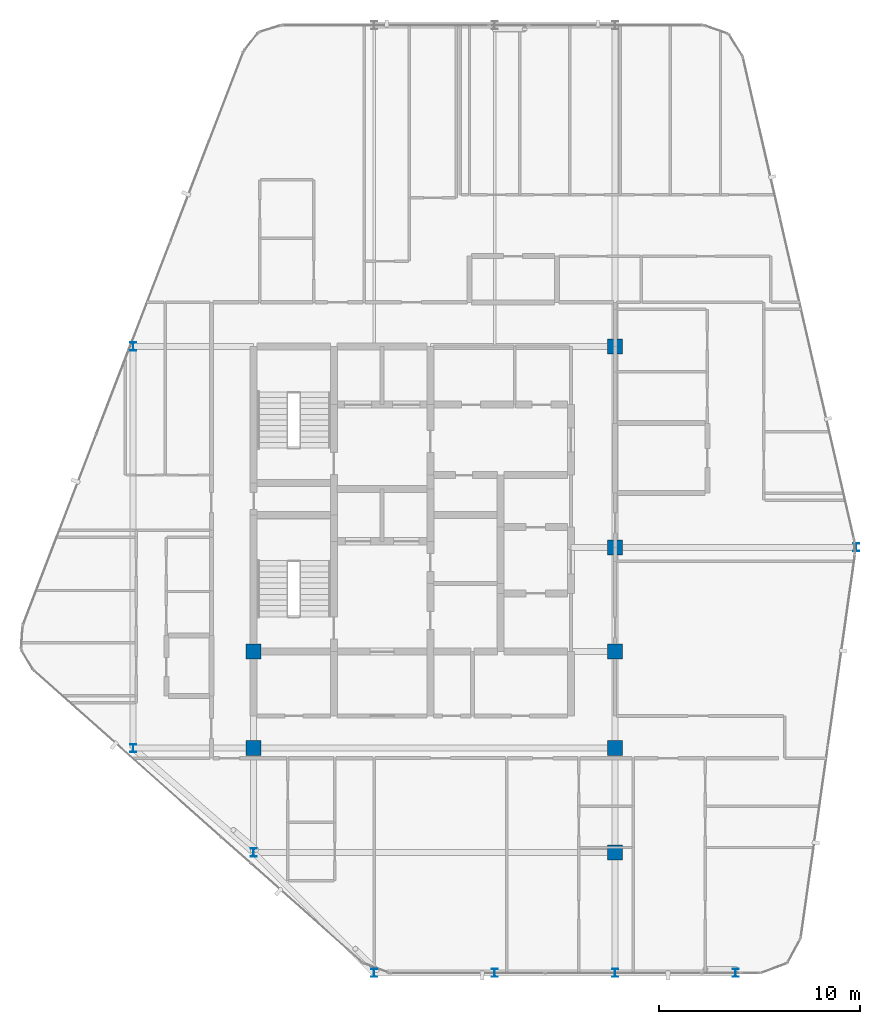
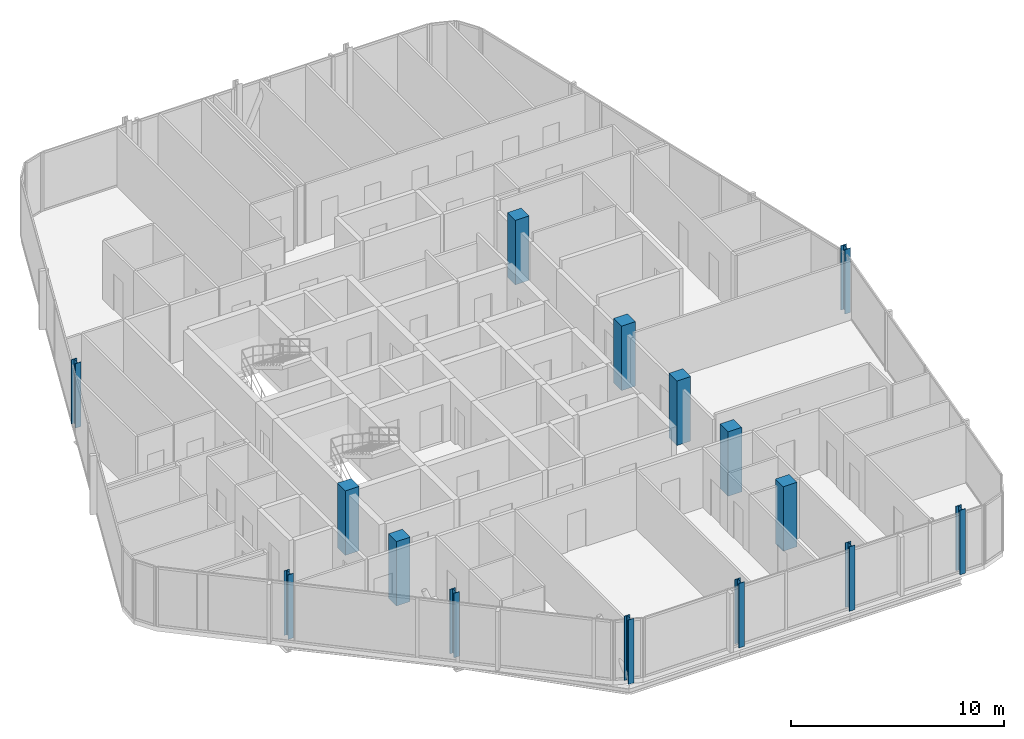
# One storey, part 1 of 30: 15 columns.
"""IFC4 building model written with IfcOpenShell, lengths in metres."""

import ifcopenshell
import ifcopenshell.guid

model = None  # the IFC model being written
_history = None  # IfcOwnerHistory: only IFC2X3 demands one
_inside = {}  # id of a spatial element -> (the spatial element, [elements in it])
_under = {}  # id of a project, library or spatial element -> (it, [spatial elements below it])
_declared = {}  # id of a project -> (the project, [libraries it declares])
_typed = {}  # id of a type object -> (the type object, [elements of that type])
_made_of = {}  # id of a material, layer set ... -> (it, [elements and type objects made of it])


def new_model(schema):
    """Start an empty IFC model of exactly this schema.

    Asked for "IFC4X3", IfcOpenShell would pick the latest addendum, in which some entities
    have other attributes; the version numbers below select the first issue.
    IFC2X3 requires an IfcOwnerHistory on every rooted entity: one is made here for all.
    """
    global model, _history
    if schema == "IFC4X3":
        model = ifcopenshell.file(schema_version=(4, 3, 0, 0))
    else:
        model = ifcopenshell.file(schema=schema)
    _inside.clear()
    _under.clear()
    _declared.clear()
    _typed.clear()
    _made_of.clear()
    _history = None
    if model.schema == "IFC2X3":
        org = make("IfcOrganization", Name="unknown")
        user = make(
            "IfcPersonAndOrganization",
            ThePerson=make("IfcPerson", FamilyName="unknown"),
            TheOrganization=org,
        )
        app = make(
            "IfcApplication",
            ApplicationDeveloper=org,
            Version="unknown",
            ApplicationFullName="unknown",
            ApplicationIdentifier="unknown",
        )
        _history = make(
            "IfcOwnerHistory",
            OwningUser=user,
            OwningApplication=app,
            ChangeAction="ADDED",
            CreationDate=0,
        )
    return model


def make(cls, **values):
    """One entity of the class cls with the attributes given. An attribute that is None is left unset."""
    return model.create_entity(
        cls, **{name: value for name, value in values.items() if value is not None}
    )


def rooted(cls, **values):
    """An entity with a GlobalId (a new one), such as an element, a storey or a relation."""
    return make(cls, GlobalId=ifcopenshell.guid.new(), OwnerHistory=_history, **values)


def si_unit(unit_type, name, prefix=None):
    """IfcSIUnit, for example si_unit("LENGTHUNIT", "METRE", prefix="MILLI")."""
    return make("IfcSIUnit", UnitType=unit_type, Prefix=prefix, Name=name)


def assignment(units):
    """IfcUnitAssignment: the units of a project."""
    return None if units is None else make("IfcUnitAssignment", Units=units)


def point(xyz):
    """IfcCartesianPoint."""
    return None if xyz is None else make("IfcCartesianPoint", Coordinates=xyz)


def direction(xyz):
    """IfcDirection."""
    return None if xyz is None else make("IfcDirection", DirectionRatios=xyz)


def frame(location, z_axis=None, x_axis=None):
    """IfcAxis2Placement3D, a coordinate frame: its origin and axes. An axis left out is left unset."""
    return make(
        "IfcAxis2Placement3D",
        Location=point(location),
        Axis=direction(z_axis),
        RefDirection=direction(x_axis),
    )


def frame_2d(location, x_axis=None):
    """IfcAxis2Placement2D, a coordinate frame in the plane: its origin and x axis."""
    return make(
        "IfcAxis2Placement2D", Location=point(location), RefDirection=direction(x_axis)
    )


def origin():
    """The frame at (0, 0, 0) with its axes left unset."""
    return frame((0.0, 0.0, 0.0))


def origin_2d():
    """The frame at (0, 0) in the plane with its x axis left unset."""
    return frame_2d((0.0, 0.0))


def place(relative_to, where):
    """IfcLocalPlacement: puts the frame where relative to a parent placement (None: the world)."""
    return make(
        "IfcLocalPlacement", PlacementRelTo=relative_to, RelativePlacement=where
    )


def context(
    kind, dimensions, precision=None, world=None, true_north=None, identifier=None
):
    """IfcGeometricRepresentationContext, for example the 3D "Model" context."""
    return make(
        "IfcGeometricRepresentationContext",
        ContextIdentifier=identifier,
        ContextType=kind,
        CoordinateSpaceDimension=dimensions,
        Precision=precision,
        WorldCoordinateSystem=world,
        TrueNorth=true_north,
    )


def subcontext(parent, identifier, kind, view, scale=None):
    """IfcGeometricRepresentationSubContext, for example "Body" below "Model"."""
    return make(
        "IfcGeometricRepresentationSubContext",
        ContextIdentifier=identifier,
        ContextType=kind,
        ParentContext=parent,
        TargetScale=scale,
        TargetView=view,
    )


def project(units=None, contexts=None):
    """IfcProject with its units and contexts."""
    return rooted(
        "IfcProject",
        Name="project",
        RepresentationContexts=contexts,
        UnitsInContext=assignment(units),
    )


def spatial(cls, under=None, at=None, **own):
    """A site, building, storey or space (cls), placed at a placement, below another one or the project."""
    s = rooted(cls, ObjectPlacement=at, **own)
    if under is not None:
        _under.setdefault(under.id(), (under, []))[1].append(s)
    return s


def profile(cls, at=None, kind="AREA", **sizes):
    """A parametric profile (cls). Its sizes go by their IFC names, for example OverallWidth=200.0."""
    return make(cls, ProfileType=kind, Position=at, **sizes)


def rectangle(**sizes):
    """IfcRectangleProfileDef."""
    return profile("IfcRectangleProfileDef", **sizes)


def i_section(**sizes):
    """IfcIShapeProfileDef."""
    return profile("IfcIShapeProfileDef", **sizes)


def extrude(swept, where, along, depth):
    """IfcExtrudedAreaSolid: the profile swept, set in the frame where, extruded along a direction by depth."""
    return make(
        "IfcExtrudedAreaSolid",
        SweptArea=swept,
        Position=where,
        ExtrudedDirection=direction(along),
        Depth=depth,
    )


def shape(context_of_items, identifier, shape_type, items):
    """IfcShapeRepresentation: the items that make up one representation, for example the "Body"."""
    return make(
        "IfcShapeRepresentation",
        ContextOfItems=context_of_items,
        RepresentationIdentifier=identifier,
        RepresentationType=shape_type,
        Items=items,
    )


def material(Name=None, Category=None):
    """IfcMaterial."""
    return make("IfcMaterial", Name=Name, Category=Category)


def material_profile(
    of_material, cross_section, Name=None, Category=None, Priority=None
):
    """IfcMaterialProfile: a cross section and its material."""
    return make(
        "IfcMaterialProfile",
        Name=Name,
        Material=of_material,
        Profile=cross_section,
        Priority=Priority,
        Category=Category,
    )


def profile_set(profiles, Name=None, composite=None):
    """IfcMaterialProfileSet."""
    return make(
        "IfcMaterialProfileSet",
        Name=Name,
        MaterialProfiles=profiles,
        CompositeProfile=composite,
    )


def made_of(thing, what):
    """Note that an element or type object is made of a material, layer set ...; save() writes the relation."""
    if what is not None:
        _made_of.setdefault(what.id(), (what, []))[1].append(thing)
    return thing


def type_object(cls, material=None, **own):
    """A type object (cls), such as IfcWallType, which elements share."""
    return made_of(rooted(cls, **own), material)


def element(
    cls,
    number,
    at=None,
    inside=None,
    cuts=None,
    type_object=None,
    material=None,
    context=None,
    identifier="Body",
    shape_type=None,
    held_by="IfcProductDefinitionShape",
    body=None,
    shapes=None,
    **own,
):
    """One element of the class cls, such as IfcWall. Its Tag is "e" and its number.

    at: its placement. inside: the storey or other place that contains it. cuts: it is an
    opening in that element (IfcRelVoidsElement). A single representation is given by context,
    identifier, shape_type and body (its items); several are given by shapes. held_by: the class
    of the entity that holds the representations. save() writes the other relations.
    """
    e = rooted(cls, Tag="e%d" % number, ObjectPlacement=at, **own)
    if body is not None:
        shapes = [shape(context, identifier, shape_type, body)]
    if shapes is not None:
        e.Representation = make(held_by, Representations=shapes)
    if inside is not None:
        _inside.setdefault(inside.id(), (inside, []))[1].append(e)
    if cuts is not None:
        rooted(
            "IfcRelVoidsElement", RelatingBuildingElement=cuts, RelatedOpeningElement=e
        )
    if type_object is not None:
        _typed.setdefault(type_object.id(), (type_object, []))[1].append(e)
    return made_of(e, material)


def aggregate(whole, parts):
    """IfcRelAggregates: a whole, such as a stair, and the parts it consists of."""
    return rooted("IfcRelAggregates", RelatingObject=whole, RelatedObjects=parts)


def save(model, path):
    """Write the relations noted so far, then the file.

    IfcRelAggregates (storeys below a building ...), IfcRelContainedInSpatialStructure (elements
    in a storey), IfcRelDefinesByType, IfcRelAssociatesMaterial and IfcRelDeclares: one each for
    every whole, place, type object, material and project.
    """
    for whole, parts in _under.values():
        aggregate(whole, parts)
    for where, things in _inside.values():
        rooted(
            "IfcRelContainedInSpatialStructure",
            RelatedElements=things,
            RelatingStructure=where,
        )
    for kind, things in _typed.values():
        rooted("IfcRelDefinesByType", RelatedObjects=things, RelatingType=kind)
    for what, things in _made_of.values():
        rooted("IfcRelAssociatesMaterial", RelatedObjects=things, RelatingMaterial=what)
    for by, libraries in _declared.values():
        rooted("IfcRelDeclares", RelatingContext=by, RelatedDefinitions=libraries)
    model.write(path)


model = new_model("IFC4")

# Units and contexts
model_context = context("Model", 3, precision=1e-05, world=origin(), true_north=direction((0.0, 1.0)))
body_context = subcontext(model_context, "Body", "Model", "MODEL_VIEW")
ifc_project = project(units=[si_unit("LENGTHUNIT", "METRE"), si_unit("AREAUNIT", "SQUARE_METRE"), si_unit("VOLUMEUNIT", "CUBIC_METRE"), si_unit("PLANEANGLEUNIT", "RADIAN"), si_unit("MASSUNIT", "GRAM", prefix="KILO")], contexts=[model_context])

# Site, building, storey
site_placement = place(None, origin())
site = spatial("IfcSite", under=ifc_project, at=site_placement, CompositionType="ELEMENT")
building_placement = place(site_placement, origin())
building = spatial("IfcBuilding", under=site, at=building_placement, Name="Keshet Zoharim Tower", CompositionType="ELEMENT")
storey_placement = place(building_placement, frame((0.0, 0.0, 280.60009765625)))
storey = spatial("IfcBuildingStorey", under=building, at=storey_placement, Name="L70", CompositionType="ELEMENT", Elevation=280.60009765625)

# Columns
ifc_material_1 = material(Name="Steel S355", Category="steel")
ifc_material_profile_1 = material_profile(ifc_material_1, i_section(OverallWidth=0.300048828125, OverallDepth=0.39990234375, WebThickness=0.013427734375, FlangeThickness=0.02392578125, FilletRadius=0.027099609375, at=origin_2d()), Name="HEB400")
ifc_profile_set_1 = profile_set([ifc_material_profile_1], Name="Steel S355")
column_type_1 = type_object("IfcColumnType", Name="COL-HEB400", PredefinedType="COLUMN", material=ifc_profile_set_1)
for number, where, z_axis, x_axis, name in (
    (1, (9.0, 17.89990234375, 0.0), (0.0, 0.0, 1.0), (1.0, 0.0, 0.0), "L70 Column 2D"),
    (2, (9.0, 37.89990234375, 0.0), (0.0, 0.0, 1.0), (1.0, 0.0, 0.0), "L70 Column 2H"),
    (3, (15.0, 12.699951171875, 0.0), (0.0, 0.0, 1.0), (1.0, 0.0, 0.0), "L70 Column 3C"),
    (4, (21.0, 6.699951171875, 0.0), (0.0, 0.0, 1.0), (1.0, 0.0, 0.0), "L70 Column 4B"),
    (5, (27.0, 6.699951171875, 0.0), (0.0, 0.0, 1.0), (1.0, 0.0, 0.0), "L70 Column 5B"),
    (6, (33.0, 6.699951171875, 0.0), (0.0, 0.0, 1.0), (1.0, 0.0, 0.0), "L70 Column 6B"),
    (7, (39.0, 6.699951171875, 0.0), (0.0, 0.0, 1.0), (1.0, 0.0, 0.0), "L70 Column 7B"),
    (8, (45.0, 27.89990234375, 0.0), (0.0, 0.0, 1.0), (1.0, 0.0, 0.0), "L70 Column 8F"),
):
    element("IfcColumn", number, at=place(storey_placement, frame(where, z_axis=z_axis, x_axis=x_axis)), inside=storey, type_object=column_type_1, Name=name, PredefinedType="COLUMN", context=body_context, shape_type="SweptSolid", body=[
        extrude(i_section(OverallWidth=0.300048828125, OverallDepth=0.39990234375, WebThickness=0.013427734375, FlangeThickness=0.02392578125, FilletRadius=0.027099609375, at=origin_2d()), origin(), (0.0, 0.0, 1.0), 3.699951171875),
    ])
ifc_material_2 = material(Name="Concrete C50/60", Category="concrete")
ifc_material_profile_2 = material_profile(ifc_material_2, rectangle(XDim=0.75, YDim=0.75, at=origin_2d()), Name="RC750x750")
ifc_profile_set_2 = profile_set([ifc_material_profile_2], Name="Concrete C50/60")
column_type_2 = type_object("IfcColumnType", Name="COL-RC750", PredefinedType="COLUMN", material=ifc_profile_set_2)
for number, where, z_axis, x_axis, name in (
    (9, (15.0, 17.89990234375, 0.0), (0.0, 0.0, 1.0), (1.0, 0.0, 0.0), "L70 Column 3D"),
    (10, (15.0, 22.699951171875, 0.0), (0.0, 0.0, 1.0), (1.0, 0.0, 0.0), "L70 Column 3E"),
    (11, (33.0, 12.699951171875, 0.0), (0.0, 0.0, 1.0), (1.0, 0.0, 0.0), "L70 Column 6C"),
    (12, (33.0, 17.89990234375, 0.0), (0.0, 0.0, 1.0), (1.0, 0.0, 0.0), "L70 Column 6D"),
    (13, (33.0, 22.699951171875, 0.0), (0.0, 0.0, 1.0), (1.0, 0.0, 0.0), "L70 Column 6E"),
    (14, (33.0, 27.89990234375, 0.0), (0.0, 0.0, 1.0), (1.0, 0.0, 0.0), "L70 Column 6F"),
    (15, (33.0, 37.89990234375, 0.0), (0.0, 0.0, 1.0), (1.0, 0.0, 0.0), "L70 Column 6H"),
):
    element("IfcColumn", number, at=place(storey_placement, frame(where, z_axis=z_axis, x_axis=x_axis)), inside=storey, type_object=column_type_2, Name=name, PredefinedType="COLUMN", context=body_context, shape_type="SweptSolid", body=[
        extrude(rectangle(XDim=0.75, YDim=0.75, at=origin_2d()), origin(), (0.0, 0.0, 1.0), 3.699951171875),
    ])

save(model, "model.ifc")
